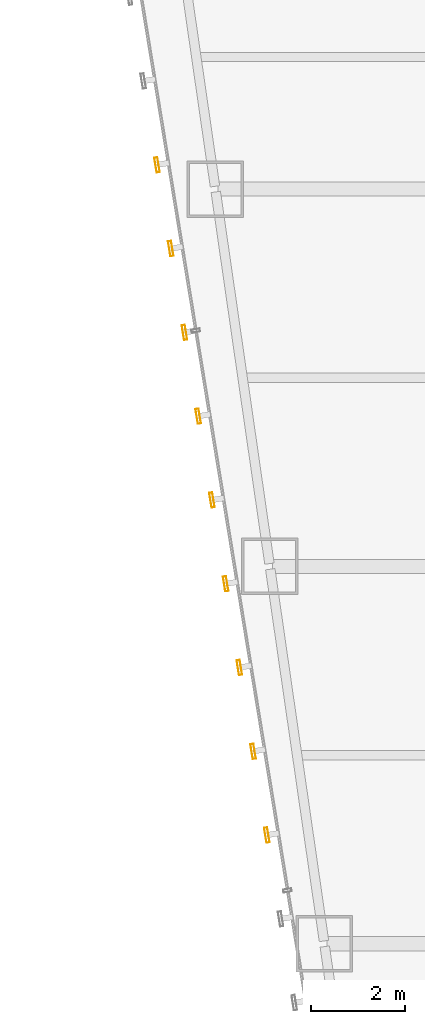
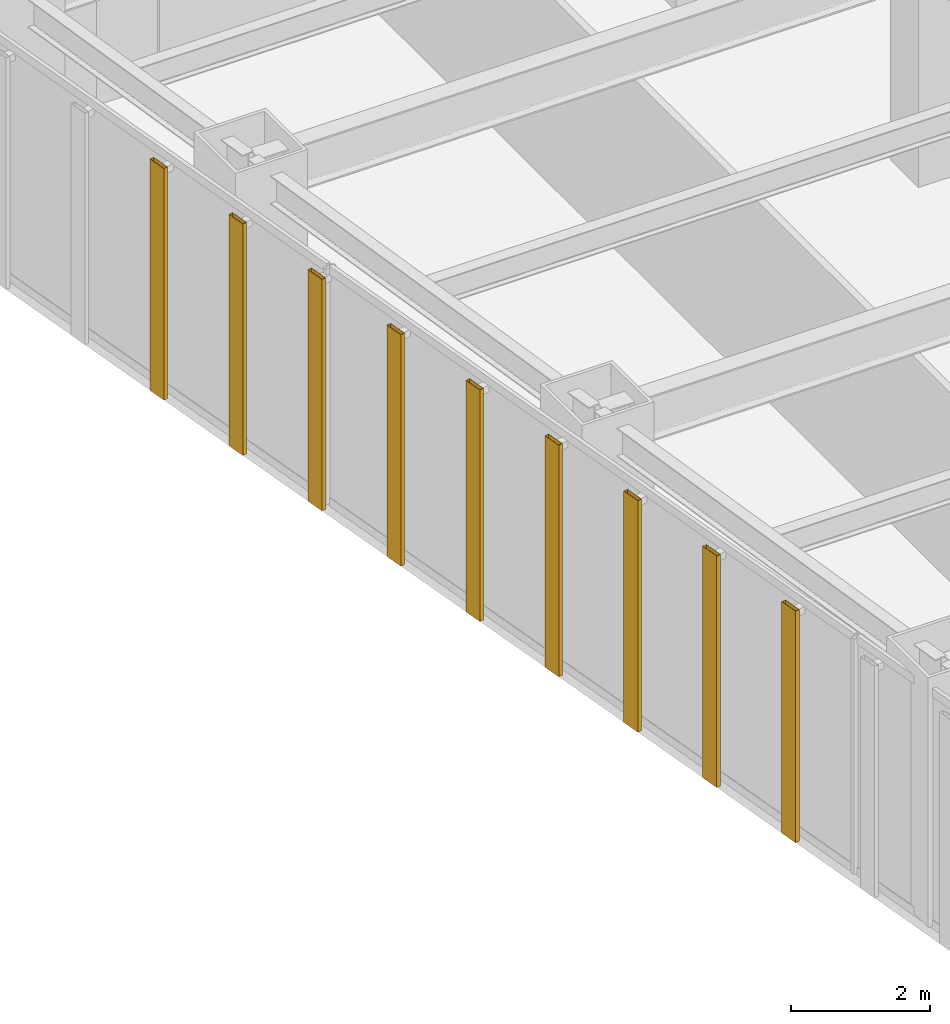
# One storey, part 43 of 47: 9 shading devices.
"""IFC4 building model written with IfcOpenShell, lengths in metres."""

from ifc_helpers import new_model, si_unit, direction, frame, origin, origin_2d, place, context, subcontext, project, spatial, hollow_rectangle, extrude, material, material_profile, profile_set, type_object, element, save


model = new_model("IFC4")

# Units and contexts
model_context = context("Model", 3, precision=1e-05, world=origin(), true_north=direction((0.0, 1.0)))
body_context = subcontext(model_context, "Body", "Model", "MODEL_VIEW")
ifc_project = project(units=[si_unit("LENGTHUNIT", "METRE"), si_unit("AREAUNIT", "SQUARE_METRE"), si_unit("VOLUMEUNIT", "CUBIC_METRE"), si_unit("PLANEANGLEUNIT", "RADIAN"), si_unit("MASSUNIT", "GRAM", prefix="KILO")], contexts=[model_context])

# Site, building, storey
site_placement = place(None, origin())
site = spatial("IfcSite", under=ifc_project, at=site_placement, CompositionType="ELEMENT")
building_placement = place(site_placement, origin())
building = spatial("IfcBuilding", under=site, at=building_placement, Name="Saevonmaru Cultural Tower", CompositionType="ELEMENT")
storey_placement = place(building_placement, frame((0.0, 0.0, 60.39990234375)))
storey = spatial("IfcBuildingStorey", under=building, at=storey_placement, Name="L12", CompositionType="ELEMENT", Elevation=60.39990234375)

# Shading devices
ifc_material = material(Name="Satin Bronze Anodised Aluminium", Category="aluminium")
ifc_material_profile = material_profile(ifc_material, hollow_rectangle(XDim=0.070068359375, YDim=0.320068359375, WallThickness=0.0048828125, at=origin_2d()), Name="FIN-320x70")
ifc_profile_set = profile_set([ifc_material_profile], Name="Satin Bronze Anodised Aluminium")
shading_device_type = type_object("IfcShadingDeviceType", Name="SHD-FIN-320", PredefinedType="JALOUSIE", material=ifc_profile_set)
for number, where, z_axis, x_axis, name in (
    (1, (7.0810546875, 32.513916015625, 0.050048828125), (0.0, 0.0, 1.0), (-0.986827496189, -0.161776057456, 0.0), "L12 Art Deco Sawtooth Bronze Fin E12-12"),
    (2, (7.3720703125, 30.737548828125, 0.050048828125), (0.0, 0.0, 1.0), (-0.986827496189, -0.161776057456, 0.0), "L12 Art Deco Sawtooth Bronze Fin E12-13"),
    (3, (7.6630859375, 28.961181640625, 0.050048828125), (0.0, 0.0, 1.0), (-0.986827496189, -0.161776057456, 0.0), "L12 Art Deco Sawtooth Bronze Fin E12-14"),
    (4, (7.9541015625, 27.184814453125, 0.050048828125), (0.0, 0.0, 1.0), (-0.986827496189, -0.161776057456, 0.0), "L12 Art Deco Sawtooth Bronze Fin E12-15"),
    (5, (8.245361328125, 25.40869140625, 0.050048828125), (0.0, 0.0, 1.0), (-0.986827496189, -0.161776057456, 0.0), "L12 Art Deco Sawtooth Bronze Fin E12-16"),
    (6, (8.536376953125, 23.63232421875, 0.050048828125), (0.0, 0.0, 1.0), (-0.986827496189, -0.161776057456, 0.0), "L12 Art Deco Sawtooth Bronze Fin E12-17"),
    (7, (8.827392578125, 21.85595703125, 0.050048828125), (0.0, 0.0, 1.0), (-0.986827496189, -0.161776057456, 0.0), "L12 Art Deco Sawtooth Bronze Fin E12-18"),
    (8, (9.118408203125, 20.07958984375, 0.050048828125), (0.0, 0.0, 1.0), (-0.986827496189, -0.161776057456, 0.0), "L12 Art Deco Sawtooth Bronze Fin E12-19"),
    (9, (9.40966796875, 18.30322265625, 0.050048828125), (0.0, 0.0, 1.0), (-0.986827496189, -0.161776057456, 0.0), "L12 Art Deco Sawtooth Bronze Fin E12-20"),
):
    element("IfcShadingDevice", number, at=place(storey_placement, frame(where, z_axis=z_axis, x_axis=x_axis)), inside=storey, type_object=shading_device_type, Name=name, PredefinedType="JALOUSIE", context=body_context, shape_type="SweptSolid", body=[
        extrude(hollow_rectangle(XDim=0.070068359375, YDim=0.320068359375, WallThickness=0.0048828125, at=origin_2d()), origin(), (0.0, 0.0, 1.0), 4.080078125),
    ])

save(model, "model.ifc")
